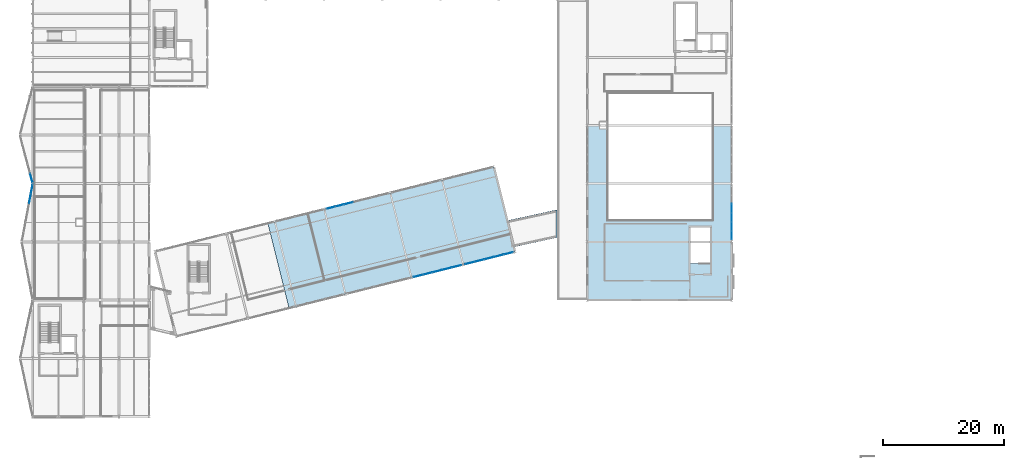
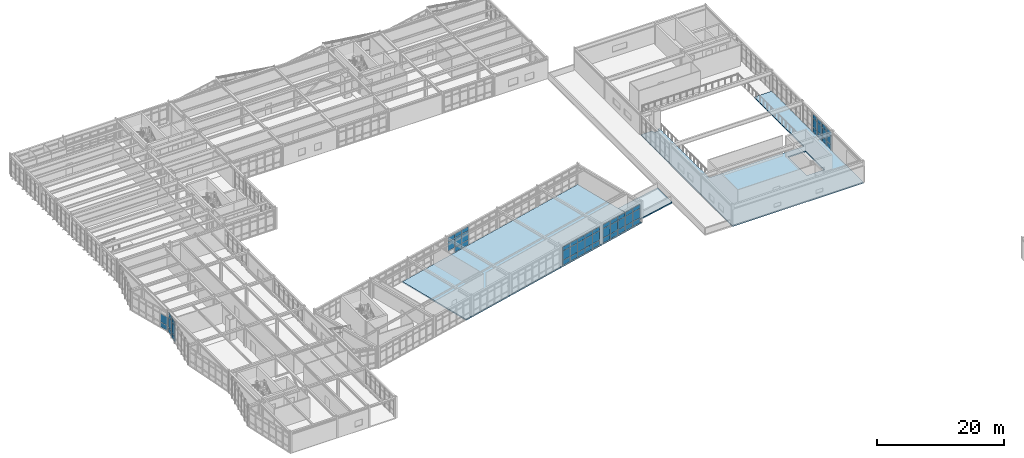
# One storey, part 48 of 76: 58 plates, 3 slabs, 6 elements without a shape of their own.
"""IFC4 building model written with IfcOpenShell, lengths in metres."""

from ifc_helpers import new_model, si_unit, direction, frame, origin, origin_2d, place, context, subcontext, project, spatial, polyline, rectangle, outline, extrude, material, layer, layer_set, type_object, element, aggregate, save


model = new_model("IFC4")

# Units and contexts
model_context = context("Model", 3, precision=1e-05, world=origin(), true_north=direction((0.0, 1.0)))
body_context = subcontext(model_context, "Body", "Model", "MODEL_VIEW")
ifc_project = project(units=[si_unit("LENGTHUNIT", "METRE"), si_unit("AREAUNIT", "SQUARE_METRE"), si_unit("VOLUMEUNIT", "CUBIC_METRE"), si_unit("PLANEANGLEUNIT", "RADIAN"), si_unit("MASSUNIT", "GRAM", prefix="KILO")], contexts=[model_context])

# Site, building, storey
site_placement = place(None, origin())
site = spatial("IfcSite", under=ifc_project, at=site_placement, CompositionType="ELEMENT")
building_placement = place(site_placement, origin())
building = spatial("IfcBuilding", under=site, at=building_placement, Name="Nordkorset Police Headquarters", CompositionType="ELEMENT")
storey_placement = place(building_placement, frame((0.0, 0.0, 13.64990234375)))
storey = spatial("IfcBuildingStorey", under=building, at=storey_placement, Name="L03", CompositionType="ELEMENT", Elevation=13.64990234375)

# Curtain wall, plates
ifc_material_1 = material(Name="Aluminium alloy AW-6060", Category="aluminium")
ifc_layer_1 = layer(ifc_material_1, 0.179931640625, Name="Aluminium alloy AW-6060")
ifc_layer_set_1 = layer_set([ifc_layer_1], Name="Aluminium alloy AW-6060")
curtain_wall_type_1 = type_object("IfcCurtainWallType", Name="CW_Unit_949x392", PredefinedType="USERDEFINED", material=ifc_layer_set_1)
curtain_wall_1_placement = place(storey_placement, origin())
curtain_wall_1 = element("IfcCurtainWall", 1, at=curtain_wall_1_placement, inside=storey, type_object=curtain_wall_type_1, Name="Unitised Curtain Wall L03 V3W-3", ObjectType="UNITISED CURTAIN WALL", PredefinedType="USERDEFINED")
ifc_material_2 = material(Name="Low-iron triple glazing", Category="glass")
ifc_layer_2 = layer(ifc_material_2, 0.035888671875, Name="Low-iron triple glazing")
ifc_layer_set_2 = layer_set([ifc_layer_2], Name="Low-iron triple glazing")
plate_type = type_object("IfcPlateType", Name="CW_Panel_TripleGlazing_36", PredefinedType="CURTAIN_PANEL", material=ifc_layer_set_2)
plate_1_placement = place(storey_placement, frame((-0.462890625, 64.731201171875, 0.06494140625), z_axis=(0.0, 0.0, 1.0), x_axis=(0.184288535048, 0.982872186935, 0.0)))
plate_1 = element("IfcPlate", 2, at=plate_1_placement, type_object=plate_type, Name="CW-49 panel 5.1", PredefinedType="CURTAIN_PANEL", context=body_context, shape_type="SweptSolid", body=[
    extrude(rectangle(XDim=1.51611328125, YDim=0.035888671875, at=origin_2d()), origin(), (0.0, 0.0, 1.0), 0.902587890625),
])
plate_2_placement = place(storey_placement, frame((-0.462890625, 64.731201171875, 1.03271484375), z_axis=(0.0, 0.0, 1.0), x_axis=(0.184288535048, 0.982872186935, 0.0)))
plate_2 = element("IfcPlate", 3, at=plate_2_placement, type_object=plate_type, Name="CW-49 panel 5.2", PredefinedType="CURTAIN_PANEL", context=body_context, shape_type="SweptSolid", body=[
    extrude(rectangle(XDim=1.51611328125, YDim=0.035888671875, at=origin_2d()), origin(), (0.0, 0.0, 1.0), 2.0048828125),
])
plate_3_placement = place(storey_placement, frame((-0.462890625, 64.731201171875, 3.1025390625), z_axis=(0.0, 0.0, 1.0), x_axis=(0.184288535048, 0.982872186935, 0.0)))
plate_3 = element("IfcPlate", 4, at=plate_3_placement, type_object=plate_type, Name="CW-49 panel 5.3", PredefinedType="CURTAIN_PANEL", context=body_context, shape_type="SweptSolid", body=[
    extrude(rectangle(XDim=1.51611328125, YDim=0.035888671875, at=origin_2d()), origin(), (0.0, 0.0, 1.0), 0.75244140625),
])
plate_4_placement = place(storey_placement, frame((-0.174560546875, 66.269287109375, 0.06494140625), z_axis=(0.0, 0.0, 1.0), x_axis=(0.184288535048, 0.982872186935, 0.0)))
plate_4 = element("IfcPlate", 5, at=plate_4_placement, type_object=plate_type, Name="CW-49 panel 6.1", PredefinedType="CURTAIN_PANEL", context=body_context, shape_type="SweptSolid", body=[
    extrude(rectangle(XDim=1.483642578125, YDim=0.035888671875, at=origin_2d()), origin(), (0.0, 0.0, 1.0), 0.902587890625),
])
plate_5_placement = place(storey_placement, frame((-0.174560546875, 66.269287109375, 1.03271484375), z_axis=(0.0, 0.0, 1.0), x_axis=(0.184288535048, 0.982872186935, 0.0)))
plate_5 = element("IfcPlate", 6, at=plate_5_placement, type_object=plate_type, Name="CW-49 panel 6.2", PredefinedType="CURTAIN_PANEL", context=body_context, shape_type="SweptSolid", body=[
    extrude(rectangle(XDim=1.483642578125, YDim=0.035888671875, at=origin_2d()), origin(), (0.0, 0.0, 1.0), 2.0048828125),
])
plate_6_placement = place(storey_placement, frame((-0.174560546875, 66.269287109375, 3.1025390625), z_axis=(0.0, 0.0, 1.0), x_axis=(0.184288535048, 0.982872186935, 0.0)))
plate_6 = element("IfcPlate", 7, at=plate_6_placement, type_object=plate_type, Name="CW-49 panel 6.3", PredefinedType="CURTAIN_PANEL", context=body_context, shape_type="SweptSolid", body=[
    extrude(rectangle(XDim=1.483642578125, YDim=0.035888671875, at=origin_2d()), origin(), (0.0, 0.0, 1.0), 0.75244140625),
])
aggregate(curtain_wall_1, [plate_1, plate_2, plate_3, plate_4, plate_5, plate_6])

ifc_material_3 = material(Name="Aluminium alloy AW-6060", Category="aluminium")
ifc_layer_3 = layer(ifc_material_3, 0.179931640625, Name="Aluminium alloy AW-6060")
ifc_layer_set_3 = layer_set([ifc_layer_3], Name="Aluminium alloy AW-6060")
curtain_wall_type_2 = type_object("IfcCurtainWallType", Name="CW_Unit_799x352", PredefinedType="USERDEFINED", material=ifc_layer_set_3)
curtain_wall_2_placement = place(storey_placement, origin())
curtain_wall_2 = element("IfcCurtainWall", 8, at=curtain_wall_2_placement, inside=storey, type_object=curtain_wall_type_2, Name="Unitised Curtain Wall L03 V3W-4", ObjectType="UNITISED CURTAIN WALL", PredefinedType="USERDEFINED")
plate_7_placement = place(storey_placement, frame((-0.24267578125, 68.1240234375, 0.06494140625), z_axis=(0.0, 0.0, 1.0), x_axis=(-0.25389698695, 0.967231265013, 0.0)))
plate_7 = element("IfcPlate", 9, at=plate_7_placement, type_object=plate_type, Name="CW-28 panel 1.1", PredefinedType="CURTAIN_PANEL", context=body_context, shape_type="SweptSolid", body=[
    extrude(rectangle(XDim=1.500732421875, YDim=0.035888671875, at=origin_2d()), origin(), (0.0, 0.0, 1.0), 0.902587890625),
])
plate_8_placement = place(storey_placement, frame((-0.24267578125, 68.1240234375, 1.03271484375), z_axis=(0.0, 0.0, 1.0), x_axis=(-0.25389698695, 0.967231265013, 0.0)))
plate_8 = element("IfcPlate", 10, at=plate_8_placement, type_object=plate_type, Name="CW-28 panel 1.2", PredefinedType="CURTAIN_PANEL", context=body_context, shape_type="SweptSolid", body=[
    extrude(rectangle(XDim=1.500732421875, YDim=0.035888671875, at=origin_2d()), origin(), (0.0, 0.0, 1.0), 1.60498046875),
])
aggregate(curtain_wall_2, [plate_7, plate_8])

ifc_material_4 = material(Name="Aluminium alloy AW-6060", Category="aluminium")
ifc_layer_4 = layer(ifc_material_4, 0.179931640625, Name="Aluminium alloy AW-6060")
ifc_layer_set_4 = layer_set([ifc_layer_4], Name="Aluminium alloy AW-6060")
curtain_wall_type_3 = type_object("IfcCurtainWallType", Name="CW_Unit_1056x365", PredefinedType="USERDEFINED", material=ifc_layer_set_4)
curtain_wall_3_placement = place(storey_placement, origin())
curtain_wall_3 = element("IfcCurtainWall", 11, at=curtain_wall_3_placement, inside=storey, type_object=curtain_wall_type_3, Name="Unitised Curtain Wall L03 V4N-3", ObjectType="UNITISED CURTAIN WALL", PredefinedType="USERDEFINED")
plate_9_placement = place(storey_placement, frame((49.10546875, 63.219482421875, 1.03271484375), z_axis=(0.0, 0.0, 1.0), x_axis=(0.970142388735, 0.242536070676, 0.0)))
plate_9 = element("IfcPlate", 12, at=plate_9_placement, type_object=plate_type, Name="CW-11 panel 1.2", PredefinedType="CURTAIN_PANEL", context=body_context, shape_type="SweptSolid", body=[
    extrude(rectangle(XDim=1.4111328125, YDim=0.035888671875, at=origin_2d()), origin(), (0.0, 0.0, 1.0), 1.735107421875),
])
plate_10_placement = place(storey_placement, frame((49.10546875, 63.219482421875, 2.83251953125), z_axis=(0.0, 0.0, 1.0), x_axis=(0.970142388735, 0.242536070676, 0.0)))
plate_10 = element("IfcPlate", 13, at=plate_10_placement, type_object=plate_type, Name="CW-11 panel 1.3", PredefinedType="CURTAIN_PANEL", context=body_context, shape_type="SweptSolid", body=[
    extrude(rectangle(XDim=1.4111328125, YDim=0.035888671875, at=origin_2d()), origin(), (0.0, 0.0, 1.0), 0.75244140625),
])
plate_11_placement = place(storey_placement, frame((50.55322265625, 63.58154296875, 0.06494140625), z_axis=(0.0, 0.0, 1.0), x_axis=(0.970142388735, 0.242536070676, 0.0)))
plate_11 = element("IfcPlate", 14, at=plate_11_placement, type_object=plate_type, Name="CW-11 panel 2.1", PredefinedType="CURTAIN_PANEL", context=body_context, shape_type="SweptSolid", body=[
    extrude(rectangle(XDim=1.443603515625, YDim=0.035888671875, at=origin_2d()), origin(), (0.0, 0.0, 1.0), 0.902587890625),
])
plate_12_placement = place(storey_placement, frame((50.55322265625, 63.58154296875, 1.03271484375), z_axis=(0.0, 0.0, 1.0), x_axis=(0.970142388735, 0.242536070676, 0.0)))
plate_12 = element("IfcPlate", 15, at=plate_12_placement, type_object=plate_type, Name="CW-11 panel 2.2", PredefinedType="CURTAIN_PANEL", context=body_context, shape_type="SweptSolid", body=[
    extrude(rectangle(XDim=1.443603515625, YDim=0.035888671875, at=origin_2d()), origin(), (0.0, 0.0, 1.0), 1.735107421875),
])
plate_13_placement = place(storey_placement, frame((50.55322265625, 63.58154296875, 2.83251953125), z_axis=(0.0, 0.0, 1.0), x_axis=(0.970142388735, 0.242536070676, 0.0)))
plate_13 = element("IfcPlate", 16, at=plate_13_placement, type_object=plate_type, Name="CW-11 panel 2.3", PredefinedType="CURTAIN_PANEL", context=body_context, shape_type="SweptSolid", body=[
    extrude(rectangle(XDim=1.443603515625, YDim=0.035888671875, at=origin_2d()), origin(), (0.0, 0.0, 1.0), 0.75244140625),
])
plate_14_placement = place(storey_placement, frame((52.016845703125, 63.947509765625, 0.06494140625), z_axis=(0.0, 0.0, 1.0), x_axis=(0.970142388735, 0.242536070676, 0.0)))
plate_14 = element("IfcPlate", 17, at=plate_14_placement, type_object=plate_type, Name="CW-11 panel 3.1", PredefinedType="CURTAIN_PANEL", context=body_context, shape_type="SweptSolid", body=[
    extrude(rectangle(XDim=1.443603515625, YDim=0.035888671875, at=origin_2d()), origin(), (0.0, 0.0, 1.0), 0.902587890625),
])
plate_15_placement = place(storey_placement, frame((52.016845703125, 63.947509765625, 1.03271484375), z_axis=(0.0, 0.0, 1.0), x_axis=(0.970142388735, 0.242536070676, 0.0)))
plate_15 = element("IfcPlate", 18, at=plate_15_placement, type_object=plate_type, Name="CW-11 panel 3.2", PredefinedType="CURTAIN_PANEL", context=body_context, shape_type="SweptSolid", body=[
    extrude(rectangle(XDim=1.443603515625, YDim=0.035888671875, at=origin_2d()), origin(), (0.0, 0.0, 1.0), 1.735107421875),
])
plate_16_placement = place(storey_placement, frame((52.016845703125, 63.947509765625, 2.83251953125), z_axis=(0.0, 0.0, 1.0), x_axis=(0.970142388735, 0.242536070676, 0.0)))
plate_16 = element("IfcPlate", 19, at=plate_16_placement, type_object=plate_type, Name="CW-11 panel 3.3", PredefinedType="CURTAIN_PANEL", context=body_context, shape_type="SweptSolid", body=[
    extrude(rectangle(XDim=1.443603515625, YDim=0.035888671875, at=origin_2d()), origin(), (0.0, 0.0, 1.0), 0.75244140625),
])
aggregate(curtain_wall_3, [plate_9, plate_10, plate_11, plate_12, plate_13, plate_14, plate_15, plate_16])

ifc_material_5 = material(Name="Aluminium alloy AW-6060", Category="aluminium")
ifc_layer_5 = layer(ifc_material_5, 0.179931640625, Name="Aluminium alloy AW-6060")
ifc_layer_set_5 = layer_set([ifc_layer_5], Name="Aluminium alloy AW-6060")
curtain_wall_type_4 = type_object("IfcCurtainWallType", Name="CW_Unit_816x366", PredefinedType="USERDEFINED", material=ifc_layer_set_5)
curtain_wall_4_placement = place(storey_placement, origin())
curtain_wall_4 = element("IfcCurtainWall", 20, at=curtain_wall_4_placement, inside=storey, type_object=curtain_wall_type_4, Name="Unitised Curtain Wall L03 V4S-4", ObjectType="UNITISED CURTAIN WALL", PredefinedType="USERDEFINED")
plate_17_placement = place(storey_placement, frame((63.5234375, 51.98095703125, 0.06494140625), z_axis=(0.0, 0.0, 1.0), x_axis=(0.970142500145, 0.242535625038, 0.0)))
plate_17 = element("IfcPlate", 21, at=plate_17_placement, type_object=plate_type, Name="CW-87 panel 1.1", PredefinedType="CURTAIN_PANEL", context=body_context, shape_type="SweptSolid", body=[
    extrude(rectangle(XDim=1.534423828125, YDim=0.035888671875, at=origin_2d()), origin(), (0.0, 0.0, 1.0), 0.902587890625),
])
plate_18_placement = place(storey_placement, frame((63.5234375, 51.98095703125, 1.03271484375), z_axis=(0.0, 0.0, 1.0), x_axis=(0.970142500145, 0.242535625038, 0.0)))
plate_18 = element("IfcPlate", 22, at=plate_18_placement, type_object=plate_type, Name="CW-87 panel 1.2", PredefinedType="CURTAIN_PANEL", context=body_context, shape_type="SweptSolid", body=[
    extrude(rectangle(XDim=1.534423828125, YDim=0.035888671875, at=origin_2d()), origin(), (0.0, 0.0, 1.0), 1.739990234375),
])
plate_19_placement = place(storey_placement, frame((63.5234375, 51.98095703125, 2.837646484375), z_axis=(0.0, 0.0, 1.0), x_axis=(0.970142500145, 0.242535625038, 0.0)))
plate_19 = element("IfcPlate", 23, at=plate_19_placement, type_object=plate_type, Name="CW-87 panel 1.3", PredefinedType="CURTAIN_PANEL", context=body_context, shape_type="SweptSolid", body=[
    extrude(rectangle(XDim=1.534423828125, YDim=0.035888671875, at=origin_2d()), origin(), (0.0, 0.0, 1.0), 0.75244140625),
])
plate_20_placement = place(storey_placement, frame((65.091064453125, 52.372802734375, 0.06494140625), z_axis=(0.0, 0.0, 1.0), x_axis=(0.970142500145, 0.242535625038, 0.0)))
plate_20 = element("IfcPlate", 24, at=plate_20_placement, type_object=plate_type, Name="CW-87 panel 2.1", PredefinedType="CURTAIN_PANEL", context=body_context, shape_type="SweptSolid", body=[
    extrude(rectangle(XDim=1.56689453125, YDim=0.035888671875, at=origin_2d()), origin(), (0.0, 0.0, 1.0), 0.902587890625),
])
plate_21_placement = place(storey_placement, frame((65.091064453125, 52.372802734375, 1.03271484375), z_axis=(0.0, 0.0, 1.0), x_axis=(0.970142500145, 0.242535625038, 0.0)))
plate_21 = element("IfcPlate", 25, at=plate_21_placement, type_object=plate_type, Name="CW-87 panel 2.2", PredefinedType="CURTAIN_PANEL", context=body_context, shape_type="SweptSolid", body=[
    extrude(rectangle(XDim=1.56689453125, YDim=0.035888671875, at=origin_2d()), origin(), (0.0, 0.0, 1.0), 1.739990234375),
])
plate_22_placement = place(storey_placement, frame((65.091064453125, 52.372802734375, 2.837646484375), z_axis=(0.0, 0.0, 1.0), x_axis=(0.970142500145, 0.242535625038, 0.0)))
plate_22 = element("IfcPlate", 26, at=plate_22_placement, type_object=plate_type, Name="CW-87 panel 2.3", PredefinedType="CURTAIN_PANEL", context=body_context, shape_type="SweptSolid", body=[
    extrude(rectangle(XDim=1.56689453125, YDim=0.035888671875, at=origin_2d()), origin(), (0.0, 0.0, 1.0), 0.75244140625),
])
plate_23_placement = place(storey_placement, frame((66.67431640625, 52.7685546875, 0.06494140625), z_axis=(0.0, 0.0, 1.0), x_axis=(0.970142500145, 0.242535625038, 0.0)))
plate_23 = element("IfcPlate", 27, at=plate_23_placement, type_object=plate_type, Name="CW-87 panel 3.1", PredefinedType="CURTAIN_PANEL", context=body_context, shape_type="SweptSolid", body=[
    extrude(rectangle(XDim=1.56689453125, YDim=0.035888671875, at=origin_2d()), origin(), (0.0, 0.0, 1.0), 0.902587890625),
])
plate_24_placement = place(storey_placement, frame((66.67431640625, 52.7685546875, 1.03271484375), z_axis=(0.0, 0.0, 1.0), x_axis=(0.970142500145, 0.242535625038, 0.0)))
plate_24 = element("IfcPlate", 28, at=plate_24_placement, type_object=plate_type, Name="CW-87 panel 3.2", PredefinedType="CURTAIN_PANEL", context=body_context, shape_type="SweptSolid", body=[
    extrude(rectangle(XDim=1.56689453125, YDim=0.035888671875, at=origin_2d()), origin(), (0.0, 0.0, 1.0), 1.739990234375),
])
plate_25_placement = place(storey_placement, frame((66.67431640625, 52.7685546875, 2.837646484375), z_axis=(0.0, 0.0, 1.0), x_axis=(0.970142500145, 0.242535625038, 0.0)))
plate_25 = element("IfcPlate", 29, at=plate_25_placement, type_object=plate_type, Name="CW-87 panel 3.3", PredefinedType="CURTAIN_PANEL", context=body_context, shape_type="SweptSolid", body=[
    extrude(rectangle(XDim=1.56689453125, YDim=0.035888671875, at=origin_2d()), origin(), (0.0, 0.0, 1.0), 0.75244140625),
])
plate_26_placement = place(storey_placement, frame((68.257568359375, 53.164306640625, 0.06494140625), z_axis=(0.0, 0.0, 1.0), x_axis=(0.970142500145, 0.242535625038, 0.0)))
plate_26 = element("IfcPlate", 30, at=plate_26_placement, type_object=plate_type, Name="CW-87 panel 4.1", PredefinedType="CURTAIN_PANEL", context=body_context, shape_type="SweptSolid", body=[
    extrude(rectangle(XDim=1.56689453125, YDim=0.035888671875, at=origin_2d()), origin(), (0.0, 0.0, 1.0), 0.902587890625),
])
plate_27_placement = place(storey_placement, frame((68.257568359375, 53.164306640625, 1.03271484375), z_axis=(0.0, 0.0, 1.0), x_axis=(0.970142500145, 0.242535625038, 0.0)))
plate_27 = element("IfcPlate", 31, at=plate_27_placement, type_object=plate_type, Name="CW-87 panel 4.2", PredefinedType="CURTAIN_PANEL", context=body_context, shape_type="SweptSolid", body=[
    extrude(rectangle(XDim=1.56689453125, YDim=0.035888671875, at=origin_2d()), origin(), (0.0, 0.0, 1.0), 1.739990234375),
])
plate_28_placement = place(storey_placement, frame((68.257568359375, 53.164306640625, 2.837646484375), z_axis=(0.0, 0.0, 1.0), x_axis=(0.970142500145, 0.242535625038, 0.0)))
plate_28 = element("IfcPlate", 32, at=plate_28_placement, type_object=plate_type, Name="CW-87 panel 4.3", PredefinedType="CURTAIN_PANEL", context=body_context, shape_type="SweptSolid", body=[
    extrude(rectangle(XDim=1.56689453125, YDim=0.035888671875, at=origin_2d()), origin(), (0.0, 0.0, 1.0), 0.75244140625),
])
plate_29_placement = place(storey_placement, frame((69.8251953125, 53.556396484375, 0.06494140625), z_axis=(0.0, 0.0, 1.0), x_axis=(0.970142500145, 0.242535625038, 0.0)))
plate_29 = element("IfcPlate", 33, at=plate_29_placement, type_object=plate_type, Name="CW-87 panel 5.1", PredefinedType="CURTAIN_PANEL", context=body_context, shape_type="SweptSolid", body=[
    extrude(rectangle(XDim=1.534423828125, YDim=0.035888671875, at=origin_2d()), origin(), (0.0, 0.0, 1.0), 0.902587890625),
])
plate_30_placement = place(storey_placement, frame((69.8251953125, 53.556396484375, 1.03271484375), z_axis=(0.0, 0.0, 1.0), x_axis=(0.970142500145, 0.242535625038, 0.0)))
plate_30 = element("IfcPlate", 34, at=plate_30_placement, type_object=plate_type, Name="CW-87 panel 5.2", PredefinedType="CURTAIN_PANEL", context=body_context, shape_type="SweptSolid", body=[
    extrude(rectangle(XDim=1.534423828125, YDim=0.035888671875, at=origin_2d()), origin(), (0.0, 0.0, 1.0), 1.739990234375),
])
plate_31_placement = place(storey_placement, frame((69.8251953125, 53.556396484375, 2.837646484375), z_axis=(0.0, 0.0, 1.0), x_axis=(0.970142500145, 0.242535625038, 0.0)))
plate_31 = element("IfcPlate", 35, at=plate_31_placement, type_object=plate_type, Name="CW-87 panel 5.3", PredefinedType="CURTAIN_PANEL", context=body_context, shape_type="SweptSolid", body=[
    extrude(rectangle(XDim=1.534423828125, YDim=0.035888671875, at=origin_2d()), origin(), (0.0, 0.0, 1.0), 0.75244140625),
])
aggregate(curtain_wall_4, [plate_17, plate_18, plate_19, plate_20, plate_21, plate_22, plate_23, plate_24, plate_25, plate_26, plate_27, plate_28, plate_29, plate_30, plate_31])

curtain_wall_5_placement = place(storey_placement, origin())
curtain_wall_5 = element("IfcCurtainWall", 36, at=curtain_wall_5_placement, inside=storey, type_object=curtain_wall_type_4, Name="Unitised Curtain Wall L03 V4S-5", ObjectType="UNITISED CURTAIN WALL", PredefinedType="USERDEFINED")
plate_32_placement = place(storey_placement, frame((72.060791015625, 54.115234375, 0.06494140625), z_axis=(0.0, 0.0, 1.0), x_axis=(0.970142500145, 0.242535625038, 0.0)))
plate_32 = element("IfcPlate", 37, at=plate_32_placement, type_object=plate_type, Name="CW-87 panel 1.1", PredefinedType="CURTAIN_PANEL", context=body_context, shape_type="SweptSolid", body=[
    extrude(rectangle(XDim=1.534423828125, YDim=0.035888671875, at=origin_2d()), origin(), (0.0, 0.0, 1.0), 0.902587890625),
])
plate_33_placement = place(storey_placement, frame((72.060791015625, 54.115234375, 1.03271484375), z_axis=(0.0, 0.0, 1.0), x_axis=(0.970142500145, 0.242535625038, 0.0)))
plate_33 = element("IfcPlate", 38, at=plate_33_placement, type_object=plate_type, Name="CW-87 panel 1.2", PredefinedType="CURTAIN_PANEL", context=body_context, shape_type="SweptSolid", body=[
    extrude(rectangle(XDim=1.534423828125, YDim=0.035888671875, at=origin_2d()), origin(), (0.0, 0.0, 1.0), 1.739990234375),
])
plate_34_placement = place(storey_placement, frame((72.060791015625, 54.115234375, 2.837646484375), z_axis=(0.0, 0.0, 1.0), x_axis=(0.970142500145, 0.242535625038, 0.0)))
plate_34 = element("IfcPlate", 39, at=plate_34_placement, type_object=plate_type, Name="CW-87 panel 1.3", PredefinedType="CURTAIN_PANEL", context=body_context, shape_type="SweptSolid", body=[
    extrude(rectangle(XDim=1.534423828125, YDim=0.035888671875, at=origin_2d()), origin(), (0.0, 0.0, 1.0), 0.75244140625),
])
plate_35_placement = place(storey_placement, frame((73.62841796875, 54.507080078125, 0.06494140625), z_axis=(0.0, 0.0, 1.0), x_axis=(0.970142500145, 0.242535625038, 0.0)))
plate_35 = element("IfcPlate", 40, at=plate_35_placement, type_object=plate_type, Name="CW-87 panel 2.1", PredefinedType="CURTAIN_PANEL", context=body_context, shape_type="SweptSolid", body=[
    extrude(rectangle(XDim=1.56689453125, YDim=0.035888671875, at=origin_2d()), origin(), (0.0, 0.0, 1.0), 0.902587890625),
])
plate_36_placement = place(storey_placement, frame((73.62841796875, 54.507080078125, 1.03271484375), z_axis=(0.0, 0.0, 1.0), x_axis=(0.970142500145, 0.242535625038, 0.0)))
plate_36 = element("IfcPlate", 41, at=plate_36_placement, type_object=plate_type, Name="CW-87 panel 2.2", PredefinedType="CURTAIN_PANEL", context=body_context, shape_type="SweptSolid", body=[
    extrude(rectangle(XDim=1.56689453125, YDim=0.035888671875, at=origin_2d()), origin(), (0.0, 0.0, 1.0), 1.739990234375),
])
plate_37_placement = place(storey_placement, frame((73.62841796875, 54.507080078125, 2.837646484375), z_axis=(0.0, 0.0, 1.0), x_axis=(0.970142500145, 0.242535625038, 0.0)))
plate_37 = element("IfcPlate", 42, at=plate_37_placement, type_object=plate_type, Name="CW-87 panel 2.3", PredefinedType="CURTAIN_PANEL", context=body_context, shape_type="SweptSolid", body=[
    extrude(rectangle(XDim=1.56689453125, YDim=0.035888671875, at=origin_2d()), origin(), (0.0, 0.0, 1.0), 0.75244140625),
])
plate_38_placement = place(storey_placement, frame((75.211669921875, 54.90283203125, 0.06494140625), z_axis=(0.0, 0.0, 1.0), x_axis=(0.970142500145, 0.242535625038, 0.0)))
plate_38 = element("IfcPlate", 43, at=plate_38_placement, type_object=plate_type, Name="CW-87 panel 3.1", PredefinedType="CURTAIN_PANEL", context=body_context, shape_type="SweptSolid", body=[
    extrude(rectangle(XDim=1.56689453125, YDim=0.035888671875, at=origin_2d()), origin(), (0.0, 0.0, 1.0), 0.902587890625),
])
plate_39_placement = place(storey_placement, frame((75.211669921875, 54.90283203125, 1.03271484375), z_axis=(0.0, 0.0, 1.0), x_axis=(0.970142500145, 0.242535625038, 0.0)))
plate_39 = element("IfcPlate", 44, at=plate_39_placement, type_object=plate_type, Name="CW-87 panel 3.2", PredefinedType="CURTAIN_PANEL", context=body_context, shape_type="SweptSolid", body=[
    extrude(rectangle(XDim=1.56689453125, YDim=0.035888671875, at=origin_2d()), origin(), (0.0, 0.0, 1.0), 1.739990234375),
])
plate_40_placement = place(storey_placement, frame((75.211669921875, 54.90283203125, 2.837646484375), z_axis=(0.0, 0.0, 1.0), x_axis=(0.970142500145, 0.242535625038, 0.0)))
plate_40 = element("IfcPlate", 45, at=plate_40_placement, type_object=plate_type, Name="CW-87 panel 3.3", PredefinedType="CURTAIN_PANEL", context=body_context, shape_type="SweptSolid", body=[
    extrude(rectangle(XDim=1.56689453125, YDim=0.035888671875, at=origin_2d()), origin(), (0.0, 0.0, 1.0), 0.75244140625),
])
plate_41_placement = place(storey_placement, frame((76.794921875, 55.298828125, 0.06494140625), z_axis=(0.0, 0.0, 1.0), x_axis=(0.970142500145, 0.242535625038, 0.0)))
plate_41 = element("IfcPlate", 46, at=plate_41_placement, type_object=plate_type, Name="CW-87 panel 4.1", PredefinedType="CURTAIN_PANEL", context=body_context, shape_type="SweptSolid", body=[
    extrude(rectangle(XDim=1.56689453125, YDim=0.035888671875, at=origin_2d()), origin(), (0.0, 0.0, 1.0), 0.902587890625),
])
plate_42_placement = place(storey_placement, frame((76.794921875, 55.298828125, 1.03271484375), z_axis=(0.0, 0.0, 1.0), x_axis=(0.970142500145, 0.242535625038, 0.0)))
plate_42 = element("IfcPlate", 47, at=plate_42_placement, type_object=plate_type, Name="CW-87 panel 4.2", PredefinedType="CURTAIN_PANEL", context=body_context, shape_type="SweptSolid", body=[
    extrude(rectangle(XDim=1.56689453125, YDim=0.035888671875, at=origin_2d()), origin(), (0.0, 0.0, 1.0), 1.739990234375),
])
plate_43_placement = place(storey_placement, frame((76.794921875, 55.298828125, 2.837646484375), z_axis=(0.0, 0.0, 1.0), x_axis=(0.970142500145, 0.242535625038, 0.0)))
plate_43 = element("IfcPlate", 48, at=plate_43_placement, type_object=plate_type, Name="CW-87 panel 4.3", PredefinedType="CURTAIN_PANEL", context=body_context, shape_type="SweptSolid", body=[
    extrude(rectangle(XDim=1.56689453125, YDim=0.035888671875, at=origin_2d()), origin(), (0.0, 0.0, 1.0), 0.75244140625),
])
plate_44_placement = place(storey_placement, frame((78.3623046875, 55.690673828125, 0.06494140625), z_axis=(0.0, 0.0, 1.0), x_axis=(0.970142500145, 0.242535625038, 0.0)))
plate_44 = element("IfcPlate", 49, at=plate_44_placement, type_object=plate_type, Name="CW-87 panel 5.1", PredefinedType="CURTAIN_PANEL", context=body_context, shape_type="SweptSolid", body=[
    extrude(rectangle(XDim=1.534423828125, YDim=0.035888671875, at=origin_2d()), origin(), (0.0, 0.0, 1.0), 0.902587890625),
])
plate_45_placement = place(storey_placement, frame((78.3623046875, 55.690673828125, 1.03271484375), z_axis=(0.0, 0.0, 1.0), x_axis=(0.970142500145, 0.242535625038, 0.0)))
plate_45 = element("IfcPlate", 50, at=plate_45_placement, type_object=plate_type, Name="CW-87 panel 5.2", PredefinedType="CURTAIN_PANEL", context=body_context, shape_type="SweptSolid", body=[
    extrude(rectangle(XDim=1.534423828125, YDim=0.035888671875, at=origin_2d()), origin(), (0.0, 0.0, 1.0), 1.739990234375),
])
plate_46_placement = place(storey_placement, frame((78.3623046875, 55.690673828125, 2.837646484375), z_axis=(0.0, 0.0, 1.0), x_axis=(0.970142500145, 0.242535625038, 0.0)))
plate_46 = element("IfcPlate", 51, at=plate_46_placement, type_object=plate_type, Name="CW-87 panel 5.3", PredefinedType="CURTAIN_PANEL", context=body_context, shape_type="SweptSolid", body=[
    extrude(rectangle(XDim=1.534423828125, YDim=0.035888671875, at=origin_2d()), origin(), (0.0, 0.0, 1.0), 0.75244140625),
])
aggregate(curtain_wall_5, [plate_32, plate_33, plate_34, plate_35, plate_36, plate_37, plate_38, plate_39, plate_40, plate_41, plate_42, plate_43, plate_44, plate_45, plate_46])

ifc_material_6 = material(Name="Aluminium alloy AW-6060", Category="aluminium")
ifc_layer_6 = layer(ifc_material_6, 0.179931640625, Name="Aluminium alloy AW-6060")
ifc_layer_set_6 = layer_set([ifc_layer_6], Name="Aluminium alloy AW-6060")
curtain_wall_type_5 = type_object("IfcCurtainWallType", Name="CW_Unit_888x356", PredefinedType="USERDEFINED", material=ifc_layer_set_6)
curtain_wall_6_placement = place(storey_placement, origin())
curtain_wall_6 = element("IfcCurtainWall", 52, at=curtain_wall_6_placement, inside=storey, type_object=curtain_wall_type_5, Name="Unitised Curtain Wall L03 V5E-1", ObjectType="UNITISED CURTAIN WALL", PredefinedType="USERDEFINED")
plate_47_placement = place(storey_placement, frame((115.199951171875, 58.71630859375, 0.06494140625), z_axis=(0.0, 0.0, 1.0), x_axis=(0.0, 1.0, 0.0)))
plate_47 = element("IfcPlate", 53, at=plate_47_placement, type_object=plate_type, Name="CW-109 panel 1.1", PredefinedType="CURTAIN_PANEL", context=body_context, shape_type="SweptSolid", body=[
    extrude(rectangle(XDim=1.382568359375, YDim=0.035888671875, at=origin_2d()), origin(), (0.0, 0.0, 1.0), 0.902587890625),
])
plate_48_placement = place(storey_placement, frame((115.199951171875, 58.71630859375, 1.03271484375), z_axis=(0.0, 0.0, 1.0), x_axis=(0.0, 1.0, 0.0)))
plate_48 = element("IfcPlate", 54, at=plate_48_placement, type_object=plate_type, Name="CW-109 panel 1.2", PredefinedType="CURTAIN_PANEL", context=body_context, shape_type="SweptSolid", body=[
    extrude(rectangle(XDim=1.382568359375, YDim=0.035888671875, at=origin_2d()), origin(), (0.0, 0.0, 1.0), 1.64990234375),
])
plate_49_placement = place(storey_placement, frame((115.199951171875, 58.71630859375, 2.74755859375), z_axis=(0.0, 0.0, 1.0), x_axis=(0.0, 1.0, 0.0)))
plate_49 = element("IfcPlate", 55, at=plate_49_placement, type_object=plate_type, Name="CW-109 panel 1.3", PredefinedType="CURTAIN_PANEL", context=body_context, shape_type="SweptSolid", body=[
    extrude(rectangle(XDim=1.382568359375, YDim=0.035888671875, at=origin_2d()), origin(), (0.0, 0.0, 1.0), 0.75244140625),
])
plate_50_placement = place(storey_placement, frame((115.199951171875, 60.179931640625, 0.06494140625), z_axis=(0.0, 0.0, 1.0), x_axis=(0.0, 1.0, 0.0)))
plate_50 = element("IfcPlate", 56, at=plate_50_placement, type_object=plate_type, Name="CW-109 panel 2.1", PredefinedType="CURTAIN_PANEL", context=body_context, shape_type="SweptSolid", body=[
    extrude(rectangle(XDim=1.4150390625, YDim=0.035888671875, at=origin_2d()), origin(), (0.0, 0.0, 1.0), 0.902587890625),
])
plate_51_placement = place(storey_placement, frame((115.199951171875, 60.179931640625, 1.03271484375), z_axis=(0.0, 0.0, 1.0), x_axis=(0.0, 1.0, 0.0)))
plate_51 = element("IfcPlate", 57, at=plate_51_placement, type_object=plate_type, Name="CW-109 panel 2.2", PredefinedType="CURTAIN_PANEL", context=body_context, shape_type="SweptSolid", body=[
    extrude(rectangle(XDim=1.4150390625, YDim=0.035888671875, at=origin_2d()), origin(), (0.0, 0.0, 1.0), 1.64990234375),
])
plate_52_placement = place(storey_placement, frame((115.199951171875, 60.179931640625, 2.74755859375), z_axis=(0.0, 0.0, 1.0), x_axis=(0.0, 1.0, 0.0)))
plate_52 = element("IfcPlate", 58, at=plate_52_placement, type_object=plate_type, Name="CW-109 panel 2.3", PredefinedType="CURTAIN_PANEL", context=body_context, shape_type="SweptSolid", body=[
    extrude(rectangle(XDim=1.4150390625, YDim=0.035888671875, at=origin_2d()), origin(), (0.0, 0.0, 1.0), 0.75244140625),
])
plate_53_placement = place(storey_placement, frame((115.199951171875, 61.659912109375, 0.06494140625), z_axis=(0.0, 0.0, 1.0), x_axis=(0.0, 1.0, 0.0)))
plate_53 = element("IfcPlate", 59, at=plate_53_placement, type_object=plate_type, Name="CW-109 panel 3.1", PredefinedType="CURTAIN_PANEL", context=body_context, shape_type="SweptSolid", body=[
    extrude(rectangle(XDim=1.4150390625, YDim=0.035888671875, at=origin_2d()), origin(), (0.0, 0.0, 1.0), 0.902587890625),
])
plate_54_placement = place(storey_placement, frame((115.199951171875, 61.659912109375, 1.03271484375), z_axis=(0.0, 0.0, 1.0), x_axis=(0.0, 1.0, 0.0)))
plate_54 = element("IfcPlate", 60, at=plate_54_placement, type_object=plate_type, Name="CW-109 panel 3.2", PredefinedType="CURTAIN_PANEL", context=body_context, shape_type="SweptSolid", body=[
    extrude(rectangle(XDim=1.4150390625, YDim=0.035888671875, at=origin_2d()), origin(), (0.0, 0.0, 1.0), 1.64990234375),
])
plate_55_placement = place(storey_placement, frame((115.199951171875, 61.659912109375, 2.74755859375), z_axis=(0.0, 0.0, 1.0), x_axis=(0.0, 1.0, 0.0)))
plate_55 = element("IfcPlate", 61, at=plate_55_placement, type_object=plate_type, Name="CW-109 panel 3.3", PredefinedType="CURTAIN_PANEL", context=body_context, shape_type="SweptSolid", body=[
    extrude(rectangle(XDim=1.4150390625, YDim=0.035888671875, at=origin_2d()), origin(), (0.0, 0.0, 1.0), 0.75244140625),
])
plate_56_placement = place(storey_placement, frame((115.199951171875, 63.139892578125, 0.06494140625), z_axis=(0.0, 0.0, 1.0), x_axis=(0.0, 1.0, 0.0)))
plate_56 = element("IfcPlate", 62, at=plate_56_placement, type_object=plate_type, Name="CW-109 panel 4.1", PredefinedType="CURTAIN_PANEL", context=body_context, shape_type="SweptSolid", body=[
    extrude(rectangle(XDim=1.4150390625, YDim=0.035888671875, at=origin_2d()), origin(), (0.0, 0.0, 1.0), 0.902587890625),
])
plate_57_placement = place(storey_placement, frame((115.199951171875, 63.139892578125, 1.03271484375), z_axis=(0.0, 0.0, 1.0), x_axis=(0.0, 1.0, 0.0)))
plate_57 = element("IfcPlate", 63, at=plate_57_placement, type_object=plate_type, Name="CW-109 panel 4.2", PredefinedType="CURTAIN_PANEL", context=body_context, shape_type="SweptSolid", body=[
    extrude(rectangle(XDim=1.4150390625, YDim=0.035888671875, at=origin_2d()), origin(), (0.0, 0.0, 1.0), 1.64990234375),
])
plate_58_placement = place(storey_placement, frame((115.199951171875, 63.139892578125, 2.74755859375), z_axis=(0.0, 0.0, 1.0), x_axis=(0.0, 1.0, 0.0)))
plate_58 = element("IfcPlate", 64, at=plate_58_placement, type_object=plate_type, Name="CW-109 panel 4.3", PredefinedType="CURTAIN_PANEL", context=body_context, shape_type="SweptSolid", body=[
    extrude(rectangle(XDim=1.4150390625, YDim=0.035888671875, at=origin_2d()), origin(), (0.0, 0.0, 1.0), 0.75244140625),
])
aggregate(curtain_wall_6, [plate_47, plate_48, plate_49, plate_50, plate_51, plate_52, plate_53, plate_54, plate_55, plate_56, plate_57, plate_58])

# Slabs
ifc_material_7 = material(Name="Concrete C35/45", Category="concrete")
ifc_layer_7 = layer(ifc_material_7, 0.22998046875, Name="Concrete C35/45")
ifc_layer_set_7 = layer_set([ifc_layer_7], Name="Concrete C35/45")
slab_type_1 = type_object("IfcSlabType", Name="Slab_Lab_230", PredefinedType="FLOOR", material=ifc_layer_set_7)
slab_1_placement = place(storey_placement, frame((0.0, 0.0, -0.22998046875)))
element("IfcSlab", 65, at=slab_1_placement, inside=storey, type_object=slab_type_1, Name="Splayed Wing Floor Slab East L03", PredefinedType="FLOOR", context=body_context, shape_type="SweptSolid", body=[
    extrude(outline(polyline([(42.236328125, 46.6591796875), (79.480224609375, 55.969970703125), (75.98779296875, 69.940185546875), (38.743896484375, 60.629150390625), (42.236328125, 46.6591796875)])), origin(), (0.0, 0.0, 1.0), 0.22998046875),
])
slab_2_placement = place(storey_placement, frame((0.0, 0.0, -0.22998046875)))
element("IfcSlab", 66, at=slab_2_placement, inside=storey, type_object=slab_type_1, Name="Composite Floor Slab V5 South L03", PredefinedType="FLOOR", context=body_context, shape_type="SweptSolid", body=[
    extrude(outline(polyline([(115.199951171875, 48.0), (91.39990234375, 48.0), (91.39990234375, 76.800048828125), (93.5, 76.800048828125), (93.5, 76.300048828125), (94.5, 76.300048828125), (94.5, 76.800048828125), (94.800048828125, 76.800048828125), (94.800048828125, 61.199951171875), (112.0, 61.199951171875), (112.0, 76.800048828125), (115.199951171875, 76.800048828125), (115.199951171875, 48.0)]), holes=[polyline([(111.574951171875, 59.97509765625), (108.375, 59.97509765625), (108.375, 54.028076171875), (111.574951171875, 54.028076171875), (111.574951171875, 59.97509765625)])]), origin(), (0.0, 0.0, 1.0), 0.22998046875),
])
ifc_material_8 = material(Name="Concrete C35/45", Category="concrete")
ifc_layer_8 = layer(ifc_material_8, 0.235107421875, Name="Concrete C35/45")
ifc_layer_set_8 = layer_set([ifc_layer_8], Name="Concrete C35/45")
slab_type_2 = type_object("IfcSlabType", Name="Slab_RoofFlat_235", PredefinedType="ROOF", material=ifc_layer_set_8)
slab_3_placement = place(storey_placement, frame((0.0, 0.0, -0.23486328125)))
element("IfcSlab", 67, at=slab_3_placement, inside=storey, type_object=slab_type_2, Name="East Courtyard Glazed Link Bridge Roof Slab", PredefinedType="ROOF", context=body_context, shape_type="SweptSolid", body=[
    extrude(outline(polyline([(86.39501953125, 62.89990234375), (86.39501953125, 58.300048828125), (79.28662109375, 56.744140625), (78.1962890625, 61.105712890625), (86.39501953125, 62.89990234375)])), origin(), (0.0, 0.0, 1.0), 0.23486328125),
])

save(model, "model.ifc")
